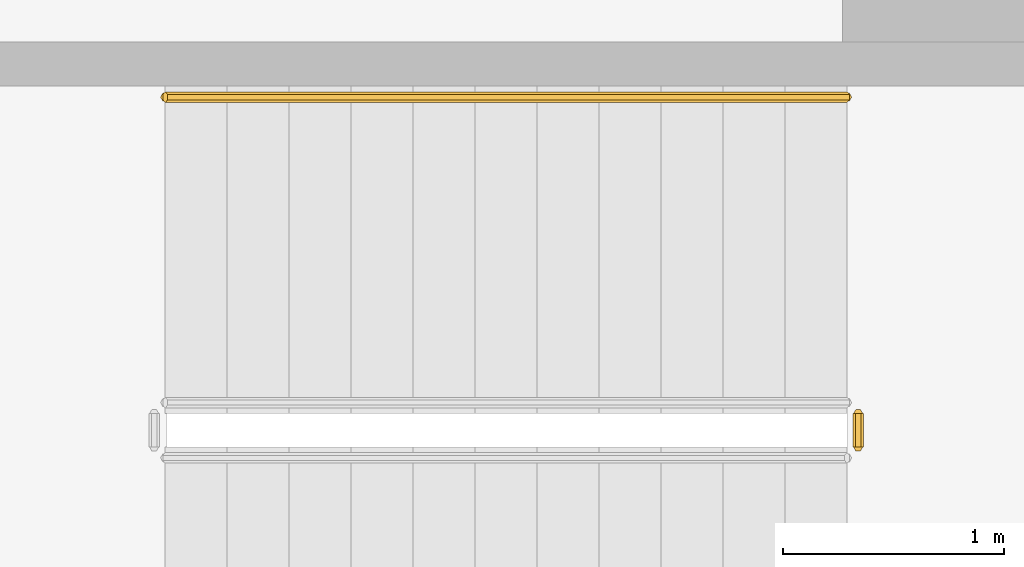
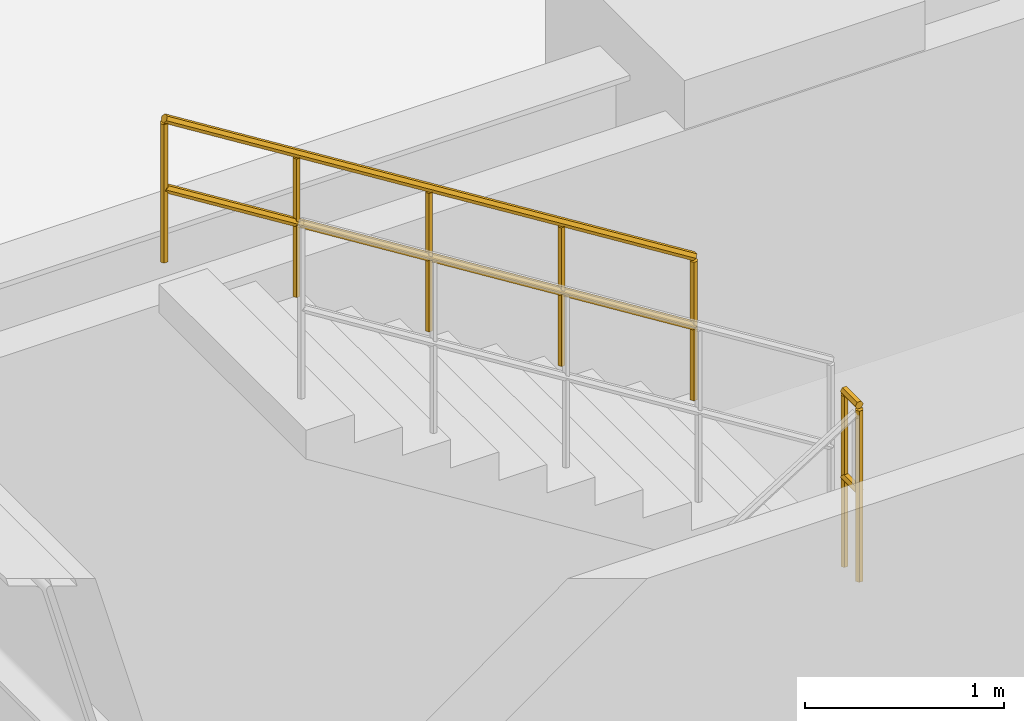
# One storey, part 19 of 20: 2 railings.
"""IFC4 building model written with IfcOpenShell, lengths in metres."""

import ifcopenshell
import ifcopenshell.guid

model = None  # the IFC model being written
_history = None  # IfcOwnerHistory: only IFC2X3 demands one
_inside = {}  # id of a spatial element -> (the spatial element, [elements in it])
_under = {}  # id of a project, library or spatial element -> (it, [spatial elements below it])
_declared = {}  # id of a project -> (the project, [libraries it declares])
_typed = {}  # id of a type object -> (the type object, [elements of that type])
_made_of = {}  # id of a material, layer set ... -> (it, [elements and type objects made of it])


def new_model(schema):
    """Start an empty IFC model of exactly this schema.

    Asked for "IFC4X3", IfcOpenShell would pick the latest addendum, in which some entities
    have other attributes; the version numbers below select the first issue.
    IFC2X3 requires an IfcOwnerHistory on every rooted entity: one is made here for all.
    """
    global model, _history
    if schema == "IFC4X3":
        model = ifcopenshell.file(schema_version=(4, 3, 0, 0))
    else:
        model = ifcopenshell.file(schema=schema)
    _inside.clear()
    _under.clear()
    _declared.clear()
    _typed.clear()
    _made_of.clear()
    _history = None
    if model.schema == "IFC2X3":
        org = make("IfcOrganization", Name="unknown")
        user = make(
            "IfcPersonAndOrganization",
            ThePerson=make("IfcPerson", FamilyName="unknown"),
            TheOrganization=org,
        )
        app = make(
            "IfcApplication",
            ApplicationDeveloper=org,
            Version="unknown",
            ApplicationFullName="unknown",
            ApplicationIdentifier="unknown",
        )
        _history = make(
            "IfcOwnerHistory",
            OwningUser=user,
            OwningApplication=app,
            ChangeAction="ADDED",
            CreationDate=0,
        )
    return model


def make(cls, **values):
    """One entity of the class cls with the attributes given. An attribute that is None is left unset."""
    return model.create_entity(
        cls, **{name: value for name, value in values.items() if value is not None}
    )


def rooted(cls, **values):
    """An entity with a GlobalId (a new one), such as an element, a storey or a relation."""
    return make(cls, GlobalId=ifcopenshell.guid.new(), OwnerHistory=_history, **values)


def si_unit(unit_type, name, prefix=None):
    """IfcSIUnit, for example si_unit("LENGTHUNIT", "METRE", prefix="MILLI")."""
    return make("IfcSIUnit", UnitType=unit_type, Prefix=prefix, Name=name)


def assignment(units):
    """IfcUnitAssignment: the units of a project."""
    return None if units is None else make("IfcUnitAssignment", Units=units)


def point(xyz):
    """IfcCartesianPoint."""
    return None if xyz is None else make("IfcCartesianPoint", Coordinates=xyz)


def direction(xyz):
    """IfcDirection."""
    return None if xyz is None else make("IfcDirection", DirectionRatios=xyz)


def frame(location, z_axis=None, x_axis=None):
    """IfcAxis2Placement3D, a coordinate frame: its origin and axes. An axis left out is left unset."""
    return make(
        "IfcAxis2Placement3D",
        Location=point(location),
        Axis=direction(z_axis),
        RefDirection=direction(x_axis),
    )


def origin():
    """The frame at (0, 0, 0) with its axes left unset."""
    return frame((0.0, 0.0, 0.0))


def place(relative_to, where):
    """IfcLocalPlacement: puts the frame where relative to a parent placement (None: the world)."""
    return make(
        "IfcLocalPlacement", PlacementRelTo=relative_to, RelativePlacement=where
    )


def context(
    kind, dimensions, precision=None, world=None, true_north=None, identifier=None
):
    """IfcGeometricRepresentationContext, for example the 3D "Model" context."""
    return make(
        "IfcGeometricRepresentationContext",
        ContextIdentifier=identifier,
        ContextType=kind,
        CoordinateSpaceDimension=dimensions,
        Precision=precision,
        WorldCoordinateSystem=world,
        TrueNorth=true_north,
    )


def subcontext(parent, identifier, kind, view, scale=None):
    """IfcGeometricRepresentationSubContext, for example "Body" below "Model"."""
    return make(
        "IfcGeometricRepresentationSubContext",
        ContextIdentifier=identifier,
        ContextType=kind,
        ParentContext=parent,
        TargetScale=scale,
        TargetView=view,
    )


def project(units=None, contexts=None):
    """IfcProject with its units and contexts."""
    return rooted(
        "IfcProject",
        Name="project",
        RepresentationContexts=contexts,
        UnitsInContext=assignment(units),
    )


def spatial(cls, under=None, at=None, **own):
    """A site, building, storey or space (cls), placed at a placement, below another one or the project."""
    s = rooted(cls, ObjectPlacement=at, **own)
    if under is not None:
        _under.setdefault(under.id(), (under, []))[1].append(s)
    return s


def polyline(points):
    """IfcPolyline through the points."""
    return make("IfcPolyline", Points=[point(p) for p in points])


def outline(outer, holes=None, kind="AREA"):
    """IfcArbitraryClosedProfileDef: a profile drawn as a closed curve; with holes, ...WithVoids."""
    if holes is None:
        return make("IfcArbitraryClosedProfileDef", ProfileType=kind, OuterCurve=outer)
    return make(
        "IfcArbitraryProfileDefWithVoids",
        ProfileType=kind,
        OuterCurve=outer,
        InnerCurves=holes,
    )


def extrude(swept, where, along, depth):
    """IfcExtrudedAreaSolid: the profile swept, set in the frame where, extruded along a direction by depth."""
    return make(
        "IfcExtrudedAreaSolid",
        SweptArea=swept,
        Position=where,
        ExtrudedDirection=direction(along),
        Depth=depth,
    )


def shape(context_of_items, identifier, shape_type, items):
    """IfcShapeRepresentation: the items that make up one representation, for example the "Body"."""
    return make(
        "IfcShapeRepresentation",
        ContextOfItems=context_of_items,
        RepresentationIdentifier=identifier,
        RepresentationType=shape_type,
        Items=items,
    )


def material(Name=None, Category=None):
    """IfcMaterial."""
    return make("IfcMaterial", Name=Name, Category=Category)


def made_of(thing, what):
    """Note that an element or type object is made of a material, layer set ...; save() writes the relation."""
    if what is not None:
        _made_of.setdefault(what.id(), (what, []))[1].append(thing)
    return thing


def type_object(cls, material=None, **own):
    """A type object (cls), such as IfcWallType, which elements share."""
    return made_of(rooted(cls, **own), material)


def element(
    cls,
    number,
    at=None,
    inside=None,
    cuts=None,
    type_object=None,
    material=None,
    context=None,
    identifier="Body",
    shape_type=None,
    held_by="IfcProductDefinitionShape",
    body=None,
    shapes=None,
    **own,
):
    """One element of the class cls, such as IfcWall. Its Tag is "e" and its number.

    at: its placement. inside: the storey or other place that contains it. cuts: it is an
    opening in that element (IfcRelVoidsElement). A single representation is given by context,
    identifier, shape_type and body (its items); several are given by shapes. held_by: the class
    of the entity that holds the representations. save() writes the other relations.
    """
    e = rooted(cls, Tag="e%d" % number, ObjectPlacement=at, **own)
    if body is not None:
        shapes = [shape(context, identifier, shape_type, body)]
    if shapes is not None:
        e.Representation = make(held_by, Representations=shapes)
    if inside is not None:
        _inside.setdefault(inside.id(), (inside, []))[1].append(e)
    if cuts is not None:
        rooted(
            "IfcRelVoidsElement", RelatingBuildingElement=cuts, RelatedOpeningElement=e
        )
    if type_object is not None:
        _typed.setdefault(type_object.id(), (type_object, []))[1].append(e)
    return made_of(e, material)


def aggregate(whole, parts):
    """IfcRelAggregates: a whole, such as a stair, and the parts it consists of."""
    return rooted("IfcRelAggregates", RelatingObject=whole, RelatedObjects=parts)


def save(model, path):
    """Write the relations noted so far, then the file.

    IfcRelAggregates (storeys below a building ...), IfcRelContainedInSpatialStructure (elements
    in a storey), IfcRelDefinesByType, IfcRelAssociatesMaterial and IfcRelDeclares: one each for
    every whole, place, type object, material and project.
    """
    for whole, parts in _under.values():
        aggregate(whole, parts)
    for where, things in _inside.values():
        rooted(
            "IfcRelContainedInSpatialStructure",
            RelatedElements=things,
            RelatingStructure=where,
        )
    for kind, things in _typed.values():
        rooted("IfcRelDefinesByType", RelatedObjects=things, RelatingType=kind)
    for what, things in _made_of.values():
        rooted("IfcRelAssociatesMaterial", RelatedObjects=things, RelatingMaterial=what)
    for by, libraries in _declared.values():
        rooted("IfcRelDeclares", RelatingContext=by, RelatedDefinitions=libraries)
    model.write(path)


model = new_model("IFC4")

# Units and contexts
model_context = context("Model", 3, precision=1e-05, world=origin(), true_north=direction((0.0, 1.0)))
body_context = subcontext(model_context, "Body", "Model", "MODEL_VIEW")
ifc_project = project(units=[si_unit("LENGTHUNIT", "METRE"), si_unit("AREAUNIT", "SQUARE_METRE"), si_unit("VOLUMEUNIT", "CUBIC_METRE"), si_unit("PLANEANGLEUNIT", "RADIAN"), si_unit("MASSUNIT", "GRAM", prefix="KILO")], contexts=[model_context])

# Site, building, storey
site_placement = place(None, origin())
site = spatial("IfcSite", under=ifc_project, at=site_placement, CompositionType="ELEMENT")
building_placement = place(site_placement, origin())
building = spatial("IfcBuilding", under=site, at=building_placement, Name="Kelanora Arch Commons", CompositionType="ELEMENT")
storey_placement = place(building_placement, frame((0.0, 0.0, -4.199951171875)))
storey = spatial("IfcBuildingStorey", under=building, at=storey_placement, Name="B01", CompositionType="ELEMENT", Elevation=-4.199951171875)

# Railings
ifc_material_1 = material(Name="Painted steel stair well guard", Category="steel")
railing_type_1 = type_object("IfcRailingType", Name="RAIL-STAIR-GRD", PredefinedType="GUARDRAIL", material=ifc_material_1)
railing_1_placement = place(storey_placement, frame((70.85009765625, 62.659912109375, 2.099853515625)))
element("IfcRailing", 1, at=railing_1_placement, inside=storey, type_object=railing_type_1, Name="B01 ST-T1 stair guard 2", PredefinedType="GUARDRAIL", context=body_context, shape_type="SweptSolid", body=[
    extrude(outline(polyline([(0.02392578125, 0.0), (0.011962890625, 0.020751953125), (-0.011962890625, 0.020751953125), (-0.02392578125, 0.0), (-0.011962890625, -0.020751953125), (0.011962890625, -0.020751953125), (0.02392578125, 0.0)])), frame((0.0, 0.0, 1.076171875), z_axis=(0.0, 1.0, 0.0), x_axis=(-1.0, 0.0, 0.0)), (0.0, 0.0, 1.0), 0.150146484375),
    extrude(outline(polyline([(0.02392578125, 0.0), (0.011962890625, 0.020751953125), (-0.011962890625, 0.020751953125), (-0.02392578125, 0.0), (-0.011962890625, -0.020751953125), (0.011962890625, -0.020751953125), (0.02392578125, 0.0)])), frame((0.0, 0.0, 0.550048828125), z_axis=(0.0, 1.0, 0.0), x_axis=(-1.0, 0.0, 0.0)), (0.0, 0.0, 1.0), 0.150146484375),
    extrude(outline(polyline([(0.02099609375, 0.0), (0.010498046875, 0.01806640625), (-0.010498046875, 0.01806640625), (-0.02099609375, 0.0), (-0.010498046875, -0.01806640625), (0.010498046875, -0.01806640625), (0.02099609375, 0.0)])), origin(), (0.0, 0.0, 1.0), 1.052001953125),
    extrude(outline(polyline([(0.02099609375, 0.0), (0.010498046875, 0.01806640625), (-0.010498046875, 0.01806640625), (-0.02099609375, 0.0), (-0.010498046875, -0.01806640625), (0.010498046875, -0.01806640625), (0.02099609375, 0.0)])), frame((0.0, 0.150146484375, 0.0)), (0.0, 0.0, 1.0), 1.052001953125),
])
ifc_material_2 = material(Name="Brushed stainless steel stair handrail", Category="steel")
railing_type_2 = type_object("IfcRailingType", Name="RAIL-STAIR-HND", PredefinedType="HANDRAIL", material=ifc_material_2)
railing_2_placement = place(storey_placement, frame((70.800048828125, 64.239990234375, 2.27490234375)))
element("IfcRailing", 2, at=railing_2_placement, inside=storey, type_object=railing_type_2, Name="B01 ST-T1 stair handrail 2", PredefinedType="HANDRAIL", context=body_context, shape_type="SweptSolid", body=[
    extrude(outline(polyline([(0.02392578125, 0.0), (0.011962890625, 0.020751953125), (-0.011962890625, 0.020751953125), (-0.02392578125, 0.0), (-0.011962890625, -0.020751953125), (0.011962890625, -0.020751953125), (0.02392578125, 0.0)])), frame((0.0, 0.0, 0.8759765625), z_axis=(-0.847998304005, 0.0, 0.529998940003), x_axis=(0.0, -1.0, 0.0)), (0.0, 0.0, 1.0), 3.632080078125),
    extrude(outline(polyline([(0.02392578125, 0.0), (0.011962890625, 0.020751953125), (-0.011962890625, 0.020751953125), (-0.02392578125, 0.0), (-0.011962890625, -0.020751953125), (0.011962890625, -0.020751953125), (0.02392578125, 0.0)])), frame((0.0, 0.0, 0.449951171875), z_axis=(-0.847998304005, 0.0, 0.529998940003), x_axis=(0.0, -1.0, 0.0)), (0.0, 0.0, 1.0), 3.632080078125),
    extrude(outline(polyline([(0.02099609375, 0.0), (0.010498046875, 0.01806640625), (-0.010498046875, 0.01806640625), (-0.02099609375, 0.0), (-0.010498046875, -0.01806640625), (0.010498046875, -0.01806640625), (0.02099609375, 0.0)])), origin(), (0.0, 0.0, 1.0), 0.851806640625),
    extrude(outline(polyline([(0.02099609375, 0.0), (0.010498046875, 0.01806640625), (-0.010498046875, 0.01806640625), (-0.02099609375, 0.0), (-0.010498046875, -0.01806640625), (0.010498046875, -0.01806640625), (0.02099609375, 0.0)])), frame((-0.77001953125, 0.0, 0.481201171875)), (0.0, 0.0, 1.0), 0.851806640625),
    extrude(outline(polyline([(0.02099609375, 0.0), (0.010498046875, 0.01806640625), (-0.010498046875, 0.01806640625), (-0.02099609375, 0.0), (-0.010498046875, -0.01806640625), (0.010498046875, -0.01806640625), (0.02099609375, 0.0)])), frame((-1.5400390625, 0.0, 0.96240234375)), (0.0, 0.0, 1.0), 0.851806640625),
    extrude(outline(polyline([(0.02099609375, 0.0), (0.010498046875, 0.01806640625), (-0.010498046875, 0.01806640625), (-0.02099609375, 0.0), (-0.010498046875, -0.01806640625), (0.010498046875, -0.01806640625), (0.02099609375, 0.0)])), frame((-2.31005859375, 0.0, 1.44384765625)), (0.0, 0.0, 1.0), 0.851806640625),
    extrude(outline(polyline([(0.02099609375, 0.0), (0.010498046875, 0.01806640625), (-0.010498046875, 0.01806640625), (-0.02099609375, 0.0), (-0.010498046875, -0.01806640625), (0.010498046875, -0.01806640625), (0.02099609375, 0.0)])), frame((-3.080078125, 0.0, 1.925048828125)), (0.0, 0.0, 1.0), 0.851806640625),
])

save(model, "model.ifc")
